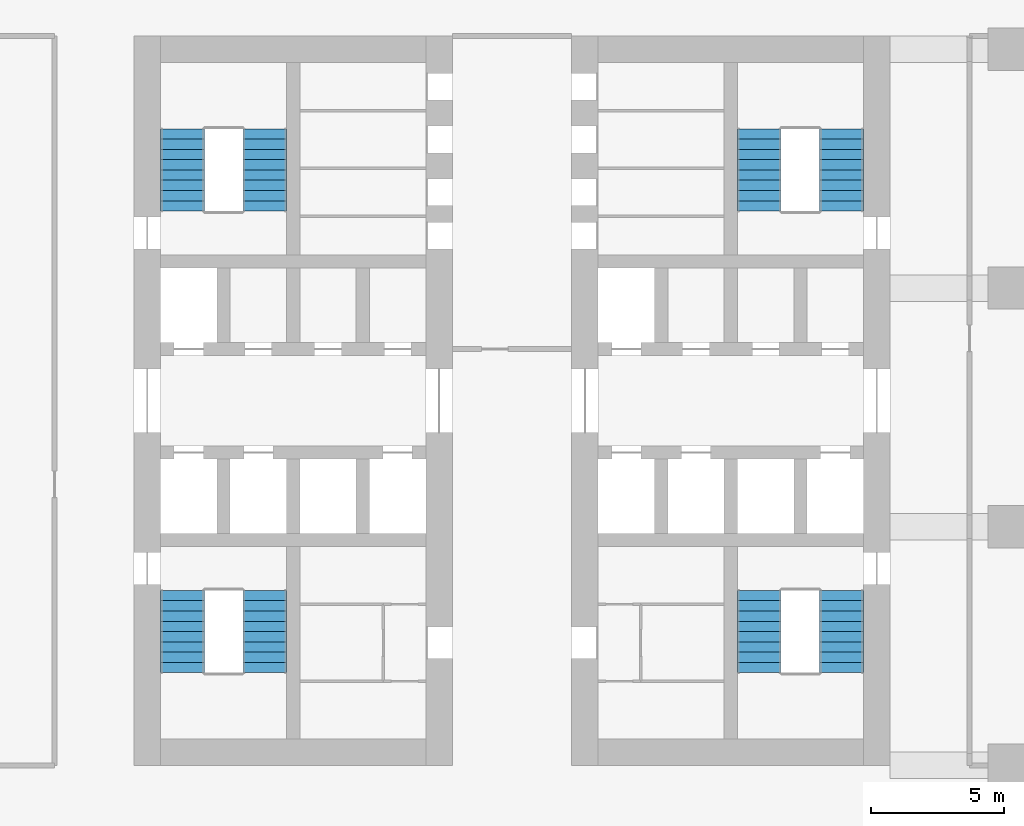
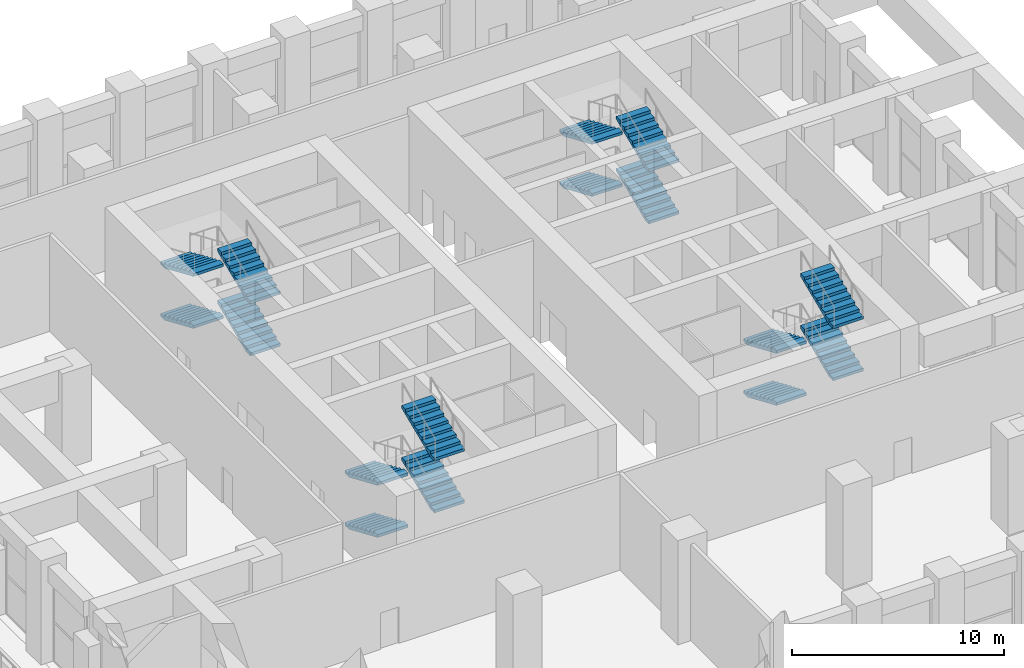
# One storey, part 17 of 21: 16 stair flights, 4 elements without a shape of their own.
"""IFC4 building model written with IfcOpenShell, lengths in metres."""

import ifcopenshell
import ifcopenshell.guid

model = None  # the IFC model being written
_history = None  # IfcOwnerHistory: only IFC2X3 demands one
_inside = {}  # id of a spatial element -> (the spatial element, [elements in it])
_under = {}  # id of a project, library or spatial element -> (it, [spatial elements below it])
_declared = {}  # id of a project -> (the project, [libraries it declares])
_typed = {}  # id of a type object -> (the type object, [elements of that type])
_made_of = {}  # id of a material, layer set ... -> (it, [elements and type objects made of it])


def new_model(schema):
    """Start an empty IFC model of exactly this schema.

    Asked for "IFC4X3", IfcOpenShell would pick the latest addendum, in which some entities
    have other attributes; the version numbers below select the first issue.
    IFC2X3 requires an IfcOwnerHistory on every rooted entity: one is made here for all.
    """
    global model, _history
    if schema == "IFC4X3":
        model = ifcopenshell.file(schema_version=(4, 3, 0, 0))
    else:
        model = ifcopenshell.file(schema=schema)
    _inside.clear()
    _under.clear()
    _declared.clear()
    _typed.clear()
    _made_of.clear()
    _history = None
    if model.schema == "IFC2X3":
        org = make("IfcOrganization", Name="unknown")
        user = make(
            "IfcPersonAndOrganization",
            ThePerson=make("IfcPerson", FamilyName="unknown"),
            TheOrganization=org,
        )
        app = make(
            "IfcApplication",
            ApplicationDeveloper=org,
            Version="unknown",
            ApplicationFullName="unknown",
            ApplicationIdentifier="unknown",
        )
        _history = make(
            "IfcOwnerHistory",
            OwningUser=user,
            OwningApplication=app,
            ChangeAction="ADDED",
            CreationDate=0,
        )
    return model


def make(cls, **values):
    """One entity of the class cls with the attributes given. An attribute that is None is left unset."""
    return model.create_entity(
        cls, **{name: value for name, value in values.items() if value is not None}
    )


def rooted(cls, **values):
    """An entity with a GlobalId (a new one), such as an element, a storey or a relation."""
    return make(cls, GlobalId=ifcopenshell.guid.new(), OwnerHistory=_history, **values)


def si_unit(unit_type, name, prefix=None):
    """IfcSIUnit, for example si_unit("LENGTHUNIT", "METRE", prefix="MILLI")."""
    return make("IfcSIUnit", UnitType=unit_type, Prefix=prefix, Name=name)


def assignment(units):
    """IfcUnitAssignment: the units of a project."""
    return None if units is None else make("IfcUnitAssignment", Units=units)


def point(xyz):
    """IfcCartesianPoint."""
    return None if xyz is None else make("IfcCartesianPoint", Coordinates=xyz)


def direction(xyz):
    """IfcDirection."""
    return None if xyz is None else make("IfcDirection", DirectionRatios=xyz)


def frame(location, z_axis=None, x_axis=None):
    """IfcAxis2Placement3D, a coordinate frame: its origin and axes. An axis left out is left unset."""
    return make(
        "IfcAxis2Placement3D",
        Location=point(location),
        Axis=direction(z_axis),
        RefDirection=direction(x_axis),
    )


def origin():
    """The frame at (0, 0, 0) with its axes left unset."""
    return frame((0.0, 0.0, 0.0))


def place(relative_to, where):
    """IfcLocalPlacement: puts the frame where relative to a parent placement (None: the world)."""
    return make(
        "IfcLocalPlacement", PlacementRelTo=relative_to, RelativePlacement=where
    )


def context(
    kind, dimensions, precision=None, world=None, true_north=None, identifier=None
):
    """IfcGeometricRepresentationContext, for example the 3D "Model" context."""
    return make(
        "IfcGeometricRepresentationContext",
        ContextIdentifier=identifier,
        ContextType=kind,
        CoordinateSpaceDimension=dimensions,
        Precision=precision,
        WorldCoordinateSystem=world,
        TrueNorth=true_north,
    )


def subcontext(parent, identifier, kind, view, scale=None):
    """IfcGeometricRepresentationSubContext, for example "Body" below "Model"."""
    return make(
        "IfcGeometricRepresentationSubContext",
        ContextIdentifier=identifier,
        ContextType=kind,
        ParentContext=parent,
        TargetScale=scale,
        TargetView=view,
    )


def project(units=None, contexts=None):
    """IfcProject with its units and contexts."""
    return rooted(
        "IfcProject",
        Name="project",
        RepresentationContexts=contexts,
        UnitsInContext=assignment(units),
    )


def spatial(cls, under=None, at=None, **own):
    """A site, building, storey or space (cls), placed at a placement, below another one or the project."""
    s = rooted(cls, ObjectPlacement=at, **own)
    if under is not None:
        _under.setdefault(under.id(), (under, []))[1].append(s)
    return s


def polyline(points):
    """IfcPolyline through the points."""
    return make("IfcPolyline", Points=[point(p) for p in points])


def outline(outer, holes=None, kind="AREA"):
    """IfcArbitraryClosedProfileDef: a profile drawn as a closed curve; with holes, ...WithVoids."""
    if holes is None:
        return make("IfcArbitraryClosedProfileDef", ProfileType=kind, OuterCurve=outer)
    return make(
        "IfcArbitraryProfileDefWithVoids",
        ProfileType=kind,
        OuterCurve=outer,
        InnerCurves=holes,
    )


def extrude(swept, where, along, depth):
    """IfcExtrudedAreaSolid: the profile swept, set in the frame where, extruded along a direction by depth."""
    return make(
        "IfcExtrudedAreaSolid",
        SweptArea=swept,
        Position=where,
        ExtrudedDirection=direction(along),
        Depth=depth,
    )


def shape(context_of_items, identifier, shape_type, items):
    """IfcShapeRepresentation: the items that make up one representation, for example the "Body"."""
    return make(
        "IfcShapeRepresentation",
        ContextOfItems=context_of_items,
        RepresentationIdentifier=identifier,
        RepresentationType=shape_type,
        Items=items,
    )


def material(Name=None, Category=None):
    """IfcMaterial."""
    return make("IfcMaterial", Name=Name, Category=Category)


def made_of(thing, what):
    """Note that an element or type object is made of a material, layer set ...; save() writes the relation."""
    if what is not None:
        _made_of.setdefault(what.id(), (what, []))[1].append(thing)
    return thing


def type_object(cls, material=None, **own):
    """A type object (cls), such as IfcWallType, which elements share."""
    return made_of(rooted(cls, **own), material)


def element(
    cls,
    number,
    at=None,
    inside=None,
    cuts=None,
    type_object=None,
    material=None,
    context=None,
    identifier="Body",
    shape_type=None,
    held_by="IfcProductDefinitionShape",
    body=None,
    shapes=None,
    **own,
):
    """One element of the class cls, such as IfcWall. Its Tag is "e" and its number.

    at: its placement. inside: the storey or other place that contains it. cuts: it is an
    opening in that element (IfcRelVoidsElement). A single representation is given by context,
    identifier, shape_type and body (its items); several are given by shapes. held_by: the class
    of the entity that holds the representations. save() writes the other relations.
    """
    e = rooted(cls, Tag="e%d" % number, ObjectPlacement=at, **own)
    if body is not None:
        shapes = [shape(context, identifier, shape_type, body)]
    if shapes is not None:
        e.Representation = make(held_by, Representations=shapes)
    if inside is not None:
        _inside.setdefault(inside.id(), (inside, []))[1].append(e)
    if cuts is not None:
        rooted(
            "IfcRelVoidsElement", RelatingBuildingElement=cuts, RelatedOpeningElement=e
        )
    if type_object is not None:
        _typed.setdefault(type_object.id(), (type_object, []))[1].append(e)
    return made_of(e, material)


def aggregate(whole, parts):
    """IfcRelAggregates: a whole, such as a stair, and the parts it consists of."""
    return rooted("IfcRelAggregates", RelatingObject=whole, RelatedObjects=parts)


def save(model, path):
    """Write the relations noted so far, then the file.

    IfcRelAggregates (storeys below a building ...), IfcRelContainedInSpatialStructure (elements
    in a storey), IfcRelDefinesByType, IfcRelAssociatesMaterial and IfcRelDeclares: one each for
    every whole, place, type object, material and project.
    """
    for whole, parts in _under.values():
        aggregate(whole, parts)
    for where, things in _inside.values():
        rooted(
            "IfcRelContainedInSpatialStructure",
            RelatedElements=things,
            RelatingStructure=where,
        )
    for kind, things in _typed.values():
        rooted("IfcRelDefinesByType", RelatedObjects=things, RelatingType=kind)
    for what, things in _made_of.values():
        rooted("IfcRelAssociatesMaterial", RelatedObjects=things, RelatingMaterial=what)
    for by, libraries in _declared.values():
        rooted("IfcRelDeclares", RelatingContext=by, RelatedDefinitions=libraries)
    model.write(path)


model = new_model("IFC4")

# Units and contexts
model_context = context("Model", 3, precision=1e-05, world=origin(), true_north=direction((0.0, 1.0)))
body_context = subcontext(model_context, "Body", "Model", "MODEL_VIEW")
ifc_project = project(units=[si_unit("LENGTHUNIT", "METRE"), si_unit("AREAUNIT", "SQUARE_METRE"), si_unit("VOLUMEUNIT", "CUBIC_METRE"), si_unit("PLANEANGLEUNIT", "RADIAN"), si_unit("MASSUNIT", "GRAM", prefix="KILO")], contexts=[model_context])

# Site, building, storey
site_placement = place(None, origin())
site = spatial("IfcSite", under=ifc_project, at=site_placement, CompositionType="ELEMENT")
building_placement = place(site_placement, origin())
building = spatial("IfcBuilding", under=site, at=building_placement, Name="Corbel Stack Research Tower", CompositionType="ELEMENT")
storey_placement = place(building_placement, frame((0.0, 0.0, 35.89990234375)))
storey = spatial("IfcBuildingStorey", under=building, at=storey_placement, Name="L08", CompositionType="ELEMENT", Elevation=35.89990234375)

# Stair, stair flights
ifc_material_1 = material(Name="Concrete C40/50", Category="concrete")
stair_type = type_object("IfcStairType", Name="Exit stair 36 risers, 388 going", PredefinedType="HALF_TURN_STAIR", material=ifc_material_1)
stair_1_placement = place(storey_placement, origin())
stair_1 = element("IfcStair", 1, at=stair_1_placement, inside=storey, type_object=stair_type, Name="L08 Exit stair ST-W1", PredefinedType="HALF_TURN_STAIR")
ifc_material_2 = material(Name="Concrete C40/50", Category="concrete")
stair_flight_type = type_object("IfcStairFlightType", Name="Stair flight 9 risers, 388 going", PredefinedType="STRAIGHT", material=ifc_material_2)
stair_flight_1_placement = place(storey_placement, frame((-8.675048828125, -2.39990234375, 0.0), z_axis=(0.0, 0.0, 1.0), x_axis=(0.0, -1.0, 0.0)))
stair_flight_1 = element("IfcStairFlight", 2, at=stair_flight_1_placement, type_object=stair_flight_type, Name="ST-W1 flight 1", NumberOfRisers=9, NumberOfTreads=8, PredefinedType="STRAIGHT", RiserHeight=0.166666667, TreadLength=0.388, context=body_context, shape_type="SweptSolid", body=[
    extrude(outline(polyline([(0.0, 0.0), (0.0, 0.166748046875), (0.387939453125, 0.166748046875), (0.387939453125, 0.333251953125), (0.77587890625, 0.333251953125), (0.77587890625, 0.5), (1.1640625, 0.5), (1.1640625, 0.666748046875), (1.552001953125, 0.666748046875), (1.552001953125, 0.833251953125), (1.93994140625, 0.833251953125), (1.93994140625, 1.0), (2.327880859375, 1.0), (2.327880859375, 1.166748046875), (2.716064453125, 1.166748046875), (2.716064453125, 1.333251953125), (3.10400390625, 1.333251953125), (3.10400390625, 1.5), (3.10400390625, 1.170166015625), (0.3798828125, 0.0), (0.0, 0.0)])), frame((0.0, 0.824951171875, 0.0), z_axis=(0.0, -1.0, 0.0), x_axis=(1.0, 0.0, 0.0)), (0.0, 0.0, 1.0), 1.64990234375),
])
stair_flight_2_placement = place(storey_placement, frame((-5.574951171875, -5.50390625, 1.5), z_axis=(0.0, 0.0, 1.0), x_axis=(0.0, 1.0, 0.0)))
stair_flight_2 = element("IfcStairFlight", 3, at=stair_flight_2_placement, type_object=stair_flight_type, Name="ST-W1 flight 2", NumberOfRisers=9, NumberOfTreads=8, PredefinedType="STRAIGHT", RiserHeight=0.166666667, TreadLength=0.388, context=body_context, shape_type="SweptSolid", body=[
    extrude(outline(polyline([(0.0, 0.0), (0.0, 0.166748046875), (0.387939453125, 0.166748046875), (0.387939453125, 0.333251953125), (0.77587890625, 0.333251953125), (0.77587890625, 0.5), (1.1640625, 0.5), (1.1640625, 0.666748046875), (1.552001953125, 0.666748046875), (1.552001953125, 0.833251953125), (1.93994140625, 0.833251953125), (1.93994140625, 1.0), (2.327880859375, 1.0), (2.327880859375, 1.166748046875), (2.716064453125, 1.166748046875), (2.716064453125, 1.333251953125), (3.10400390625, 1.333251953125), (3.10400390625, 1.5), (3.10400390625, 1.170166015625), (0.3798828125, 0.0), (0.0, 0.0)])), frame((0.0, 0.824951171875, 0.0), z_axis=(0.0, -1.0, 0.0), x_axis=(1.0, 0.0, 0.0)), (0.0, 0.0, 1.0), 1.64990234375),
])
stair_flight_3_placement = place(storey_placement, frame((-8.675048828125, -2.39990234375, 3.0), z_axis=(0.0, 0.0, 1.0), x_axis=(0.0, -1.0, 0.0)))
stair_flight_3 = element("IfcStairFlight", 4, at=stair_flight_3_placement, type_object=stair_flight_type, Name="ST-W1 flight 3", NumberOfRisers=9, NumberOfTreads=8, PredefinedType="STRAIGHT", RiserHeight=0.166666667, TreadLength=0.388, context=body_context, shape_type="SweptSolid", body=[
    extrude(outline(polyline([(0.0, 0.0), (0.0, 0.166748046875), (0.387939453125, 0.166748046875), (0.387939453125, 0.333251953125), (0.77587890625, 0.333251953125), (0.77587890625, 0.5), (1.1640625, 0.5), (1.1640625, 0.666748046875), (1.552001953125, 0.666748046875), (1.552001953125, 0.833251953125), (1.93994140625, 0.833251953125), (1.93994140625, 1.0), (2.327880859375, 1.0), (2.327880859375, 1.166748046875), (2.716064453125, 1.166748046875), (2.716064453125, 1.333251953125), (3.10400390625, 1.333251953125), (3.10400390625, 1.5), (3.10400390625, 1.170166015625), (0.3798828125, 0.0), (0.0, 0.0)])), frame((0.0, 0.824951171875, 0.0), z_axis=(0.0, -1.0, 0.0), x_axis=(1.0, 0.0, 0.0)), (0.0, 0.0, 1.0), 1.64990234375),
])
stair_flight_4_placement = place(storey_placement, frame((-5.574951171875, -5.50390625, 4.5), z_axis=(0.0, 0.0, 1.0), x_axis=(0.0, 1.0, 0.0)))
stair_flight_4 = element("IfcStairFlight", 5, at=stair_flight_4_placement, type_object=stair_flight_type, Name="ST-W1 flight 4", NumberOfRisers=9, NumberOfTreads=8, PredefinedType="STRAIGHT", RiserHeight=0.166666667, TreadLength=0.388, context=body_context, shape_type="SweptSolid", body=[
    extrude(outline(polyline([(0.0, 0.0), (0.0, 0.166748046875), (0.387939453125, 0.166748046875), (0.387939453125, 0.333251953125), (0.77587890625, 0.333251953125), (0.77587890625, 0.5), (1.1640625, 0.5), (1.1640625, 0.666748046875), (1.552001953125, 0.666748046875), (1.552001953125, 0.833251953125), (1.93994140625, 0.833251953125), (1.93994140625, 1.0), (2.327880859375, 1.0), (2.327880859375, 1.166748046875), (2.716064453125, 1.166748046875), (2.716064453125, 1.333251953125), (3.10400390625, 1.333251953125), (3.10400390625, 1.5), (3.10400390625, 1.170166015625), (0.3798828125, 0.0), (0.0, 0.0)])), frame((0.0, 0.824951171875, 0.0), z_axis=(0.0, -1.0, 0.0), x_axis=(1.0, 0.0, 0.0)), (0.0, 0.0, 1.0), 1.64990234375),
])
aggregate(stair_1, [stair_flight_1, stair_flight_2, stair_flight_3, stair_flight_4])

stair_2_placement = place(storey_placement, origin())
stair_2 = element("IfcStair", 6, at=stair_2_placement, inside=storey, type_object=stair_type, Name="L08 Exit stair ST-W2", PredefinedType="HALF_TURN_STAIR")
stair_flight_5_placement = place(storey_placement, frame((-5.574951171875, 11.89990234375, 0.0), z_axis=(0.0, 0.0, 1.0), x_axis=(0.0, 1.0, 0.0)))
stair_flight_5 = element("IfcStairFlight", 7, at=stair_flight_5_placement, type_object=stair_flight_type, Name="ST-W2 flight 1", NumberOfRisers=9, NumberOfTreads=8, PredefinedType="STRAIGHT", RiserHeight=0.166666667, TreadLength=0.388, context=body_context, shape_type="SweptSolid", body=[
    extrude(outline(polyline([(0.0, 0.0), (0.0, 0.166748046875), (0.387939453125, 0.166748046875), (0.387939453125, 0.333251953125), (0.77587890625, 0.333251953125), (0.77587890625, 0.5), (1.1640625, 0.5), (1.1640625, 0.666748046875), (1.552001953125, 0.666748046875), (1.552001953125, 0.833251953125), (1.93994140625, 0.833251953125), (1.93994140625, 1.0), (2.327880859375, 1.0), (2.327880859375, 1.166748046875), (2.716064453125, 1.166748046875), (2.716064453125, 1.333251953125), (3.10400390625, 1.333251953125), (3.10400390625, 1.5), (3.10400390625, 1.170166015625), (0.3798828125, 0.0), (0.0, 0.0)])), frame((0.0, 0.824951171875, 0.0), z_axis=(0.0, -1.0, 0.0), x_axis=(1.0, 0.0, 0.0)), (0.0, 0.0, 1.0), 1.64990234375),
])
stair_flight_6_placement = place(storey_placement, frame((-8.675048828125, 15.00390625, 1.5), z_axis=(0.0, 0.0, 1.0), x_axis=(0.0, -1.0, 0.0)))
stair_flight_6 = element("IfcStairFlight", 8, at=stair_flight_6_placement, type_object=stair_flight_type, Name="ST-W2 flight 2", NumberOfRisers=9, NumberOfTreads=8, PredefinedType="STRAIGHT", RiserHeight=0.166666667, TreadLength=0.388, context=body_context, shape_type="SweptSolid", body=[
    extrude(outline(polyline([(0.0, 0.0), (0.0, 0.166748046875), (0.387939453125, 0.166748046875), (0.387939453125, 0.333251953125), (0.77587890625, 0.333251953125), (0.77587890625, 0.5), (1.1640625, 0.5), (1.1640625, 0.666748046875), (1.552001953125, 0.666748046875), (1.552001953125, 0.833251953125), (1.93994140625, 0.833251953125), (1.93994140625, 1.0), (2.327880859375, 1.0), (2.327880859375, 1.166748046875), (2.716064453125, 1.166748046875), (2.716064453125, 1.333251953125), (3.10400390625, 1.333251953125), (3.10400390625, 1.5), (3.10400390625, 1.170166015625), (0.3798828125, 0.0), (0.0, 0.0)])), frame((0.0, 0.824951171875, 0.0), z_axis=(0.0, -1.0, 0.0), x_axis=(1.0, 0.0, 0.0)), (0.0, 0.0, 1.0), 1.64990234375),
])
stair_flight_7_placement = place(storey_placement, frame((-5.574951171875, 11.89990234375, 3.0), z_axis=(0.0, 0.0, 1.0), x_axis=(0.0, 1.0, 0.0)))
stair_flight_7 = element("IfcStairFlight", 9, at=stair_flight_7_placement, type_object=stair_flight_type, Name="ST-W2 flight 3", NumberOfRisers=9, NumberOfTreads=8, PredefinedType="STRAIGHT", RiserHeight=0.166666667, TreadLength=0.388, context=body_context, shape_type="SweptSolid", body=[
    extrude(outline(polyline([(0.0, 0.0), (0.0, 0.166748046875), (0.387939453125, 0.166748046875), (0.387939453125, 0.333251953125), (0.77587890625, 0.333251953125), (0.77587890625, 0.5), (1.1640625, 0.5), (1.1640625, 0.666748046875), (1.552001953125, 0.666748046875), (1.552001953125, 0.833251953125), (1.93994140625, 0.833251953125), (1.93994140625, 1.0), (2.327880859375, 1.0), (2.327880859375, 1.166748046875), (2.716064453125, 1.166748046875), (2.716064453125, 1.333251953125), (3.10400390625, 1.333251953125), (3.10400390625, 1.5), (3.10400390625, 1.170166015625), (0.3798828125, 0.0), (0.0, 0.0)])), frame((0.0, 0.824951171875, 0.0), z_axis=(0.0, -1.0, 0.0), x_axis=(1.0, 0.0, 0.0)), (0.0, 0.0, 1.0), 1.64990234375),
])
stair_flight_8_placement = place(storey_placement, frame((-8.675048828125, 15.00390625, 4.5), z_axis=(0.0, 0.0, 1.0), x_axis=(0.0, -1.0, 0.0)))
stair_flight_8 = element("IfcStairFlight", 10, at=stair_flight_8_placement, type_object=stair_flight_type, Name="ST-W2 flight 4", NumberOfRisers=9, NumberOfTreads=8, PredefinedType="STRAIGHT", RiserHeight=0.166666667, TreadLength=0.388, context=body_context, shape_type="SweptSolid", body=[
    extrude(outline(polyline([(0.0, 0.0), (0.0, 0.166748046875), (0.387939453125, 0.166748046875), (0.387939453125, 0.333251953125), (0.77587890625, 0.333251953125), (0.77587890625, 0.5), (1.1640625, 0.5), (1.1640625, 0.666748046875), (1.552001953125, 0.666748046875), (1.552001953125, 0.833251953125), (1.93994140625, 0.833251953125), (1.93994140625, 1.0), (2.327880859375, 1.0), (2.327880859375, 1.166748046875), (2.716064453125, 1.166748046875), (2.716064453125, 1.333251953125), (3.10400390625, 1.333251953125), (3.10400390625, 1.5), (3.10400390625, 1.170166015625), (0.3798828125, 0.0), (0.0, 0.0)])), frame((0.0, 0.824951171875, 0.0), z_axis=(0.0, -1.0, 0.0), x_axis=(1.0, 0.0, 0.0)), (0.0, 0.0, 1.0), 1.64990234375),
])
aggregate(stair_2, [stair_flight_5, stair_flight_6, stair_flight_7, stair_flight_8])

stair_3_placement = place(storey_placement, origin())
stair_3 = element("IfcStair", 11, at=stair_3_placement, inside=storey, type_object=stair_type, Name="L08 Exit stair ST-E1", PredefinedType="HALF_TURN_STAIR")
stair_flight_9_placement = place(storey_placement, frame((13.074951171875, -2.39990234375, 0.0), z_axis=(0.0, 0.0, 1.0), x_axis=(0.0, -1.0, 0.0)))
stair_flight_9 = element("IfcStairFlight", 12, at=stair_flight_9_placement, type_object=stair_flight_type, Name="ST-E1 flight 1", NumberOfRisers=9, NumberOfTreads=8, PredefinedType="STRAIGHT", RiserHeight=0.166666667, TreadLength=0.388, context=body_context, shape_type="SweptSolid", body=[
    extrude(outline(polyline([(0.0, 0.0), (0.0, 0.166748046875), (0.387939453125, 0.166748046875), (0.387939453125, 0.333251953125), (0.77587890625, 0.333251953125), (0.77587890625, 0.5), (1.1640625, 0.5), (1.1640625, 0.666748046875), (1.552001953125, 0.666748046875), (1.552001953125, 0.833251953125), (1.93994140625, 0.833251953125), (1.93994140625, 1.0), (2.327880859375, 1.0), (2.327880859375, 1.166748046875), (2.716064453125, 1.166748046875), (2.716064453125, 1.333251953125), (3.10400390625, 1.333251953125), (3.10400390625, 1.5), (3.10400390625, 1.170166015625), (0.3798828125, 0.0), (0.0, 0.0)])), frame((0.0, 0.824951171875, 0.0), z_axis=(0.0, -1.0, 0.0), x_axis=(1.0, 0.0, 0.0)), (0.0, 0.0, 1.0), 1.64990234375),
])
stair_flight_10_placement = place(storey_placement, frame((16.175048828125, -5.50390625, 1.5), z_axis=(0.0, 0.0, 1.0), x_axis=(0.0, 1.0, 0.0)))
stair_flight_10 = element("IfcStairFlight", 13, at=stair_flight_10_placement, type_object=stair_flight_type, Name="ST-E1 flight 2", NumberOfRisers=9, NumberOfTreads=8, PredefinedType="STRAIGHT", RiserHeight=0.166666667, TreadLength=0.388, context=body_context, shape_type="SweptSolid", body=[
    extrude(outline(polyline([(0.0, 0.0), (0.0, 0.166748046875), (0.387939453125, 0.166748046875), (0.387939453125, 0.333251953125), (0.77587890625, 0.333251953125), (0.77587890625, 0.5), (1.1640625, 0.5), (1.1640625, 0.666748046875), (1.552001953125, 0.666748046875), (1.552001953125, 0.833251953125), (1.93994140625, 0.833251953125), (1.93994140625, 1.0), (2.327880859375, 1.0), (2.327880859375, 1.166748046875), (2.716064453125, 1.166748046875), (2.716064453125, 1.333251953125), (3.10400390625, 1.333251953125), (3.10400390625, 1.5), (3.10400390625, 1.170166015625), (0.3798828125, 0.0), (0.0, 0.0)])), frame((0.0, 0.824951171875, 0.0), z_axis=(0.0, -1.0, 0.0), x_axis=(1.0, 0.0, 0.0)), (0.0, 0.0, 1.0), 1.64990234375),
])
stair_flight_11_placement = place(storey_placement, frame((13.074951171875, -2.39990234375, 3.0), z_axis=(0.0, 0.0, 1.0), x_axis=(0.0, -1.0, 0.0)))
stair_flight_11 = element("IfcStairFlight", 14, at=stair_flight_11_placement, type_object=stair_flight_type, Name="ST-E1 flight 3", NumberOfRisers=9, NumberOfTreads=8, PredefinedType="STRAIGHT", RiserHeight=0.166666667, TreadLength=0.388, context=body_context, shape_type="SweptSolid", body=[
    extrude(outline(polyline([(0.0, 0.0), (0.0, 0.166748046875), (0.387939453125, 0.166748046875), (0.387939453125, 0.333251953125), (0.77587890625, 0.333251953125), (0.77587890625, 0.5), (1.1640625, 0.5), (1.1640625, 0.666748046875), (1.552001953125, 0.666748046875), (1.552001953125, 0.833251953125), (1.93994140625, 0.833251953125), (1.93994140625, 1.0), (2.327880859375, 1.0), (2.327880859375, 1.166748046875), (2.716064453125, 1.166748046875), (2.716064453125, 1.333251953125), (3.10400390625, 1.333251953125), (3.10400390625, 1.5), (3.10400390625, 1.170166015625), (0.3798828125, 0.0), (0.0, 0.0)])), frame((0.0, 0.824951171875, 0.0), z_axis=(0.0, -1.0, 0.0), x_axis=(1.0, 0.0, 0.0)), (0.0, 0.0, 1.0), 1.64990234375),
])
stair_flight_12_placement = place(storey_placement, frame((16.175048828125, -5.50390625, 4.5), z_axis=(0.0, 0.0, 1.0), x_axis=(0.0, 1.0, 0.0)))
stair_flight_12 = element("IfcStairFlight", 15, at=stair_flight_12_placement, type_object=stair_flight_type, Name="ST-E1 flight 4", NumberOfRisers=9, NumberOfTreads=8, PredefinedType="STRAIGHT", RiserHeight=0.166666667, TreadLength=0.388, context=body_context, shape_type="SweptSolid", body=[
    extrude(outline(polyline([(0.0, 0.0), (0.0, 0.166748046875), (0.387939453125, 0.166748046875), (0.387939453125, 0.333251953125), (0.77587890625, 0.333251953125), (0.77587890625, 0.5), (1.1640625, 0.5), (1.1640625, 0.666748046875), (1.552001953125, 0.666748046875), (1.552001953125, 0.833251953125), (1.93994140625, 0.833251953125), (1.93994140625, 1.0), (2.327880859375, 1.0), (2.327880859375, 1.166748046875), (2.716064453125, 1.166748046875), (2.716064453125, 1.333251953125), (3.10400390625, 1.333251953125), (3.10400390625, 1.5), (3.10400390625, 1.170166015625), (0.3798828125, 0.0), (0.0, 0.0)])), frame((0.0, 0.824951171875, 0.0), z_axis=(0.0, -1.0, 0.0), x_axis=(1.0, 0.0, 0.0)), (0.0, 0.0, 1.0), 1.64990234375),
])
aggregate(stair_3, [stair_flight_9, stair_flight_10, stair_flight_11, stair_flight_12])

stair_4_placement = place(storey_placement, origin())
stair_4 = element("IfcStair", 16, at=stair_4_placement, inside=storey, type_object=stair_type, Name="L08 Exit stair ST-E2", PredefinedType="HALF_TURN_STAIR")
stair_flight_13_placement = place(storey_placement, frame((16.175048828125, 11.89990234375, 0.0), z_axis=(0.0, 0.0, 1.0), x_axis=(0.0, 1.0, 0.0)))
stair_flight_13 = element("IfcStairFlight", 17, at=stair_flight_13_placement, type_object=stair_flight_type, Name="ST-E2 flight 1", NumberOfRisers=9, NumberOfTreads=8, PredefinedType="STRAIGHT", RiserHeight=0.166666667, TreadLength=0.388, context=body_context, shape_type="SweptSolid", body=[
    extrude(outline(polyline([(0.0, 0.0), (0.0, 0.166748046875), (0.387939453125, 0.166748046875), (0.387939453125, 0.333251953125), (0.77587890625, 0.333251953125), (0.77587890625, 0.5), (1.1640625, 0.5), (1.1640625, 0.666748046875), (1.552001953125, 0.666748046875), (1.552001953125, 0.833251953125), (1.93994140625, 0.833251953125), (1.93994140625, 1.0), (2.327880859375, 1.0), (2.327880859375, 1.166748046875), (2.716064453125, 1.166748046875), (2.716064453125, 1.333251953125), (3.10400390625, 1.333251953125), (3.10400390625, 1.5), (3.10400390625, 1.170166015625), (0.3798828125, 0.0), (0.0, 0.0)])), frame((0.0, 0.824951171875, 0.0), z_axis=(0.0, -1.0, 0.0), x_axis=(1.0, 0.0, 0.0)), (0.0, 0.0, 1.0), 1.64990234375),
])
stair_flight_14_placement = place(storey_placement, frame((13.074951171875, 15.00390625, 1.5), z_axis=(0.0, 0.0, 1.0), x_axis=(0.0, -1.0, 0.0)))
stair_flight_14 = element("IfcStairFlight", 18, at=stair_flight_14_placement, type_object=stair_flight_type, Name="ST-E2 flight 2", NumberOfRisers=9, NumberOfTreads=8, PredefinedType="STRAIGHT", RiserHeight=0.166666667, TreadLength=0.388, context=body_context, shape_type="SweptSolid", body=[
    extrude(outline(polyline([(0.0, 0.0), (0.0, 0.166748046875), (0.387939453125, 0.166748046875), (0.387939453125, 0.333251953125), (0.77587890625, 0.333251953125), (0.77587890625, 0.5), (1.1640625, 0.5), (1.1640625, 0.666748046875), (1.552001953125, 0.666748046875), (1.552001953125, 0.833251953125), (1.93994140625, 0.833251953125), (1.93994140625, 1.0), (2.327880859375, 1.0), (2.327880859375, 1.166748046875), (2.716064453125, 1.166748046875), (2.716064453125, 1.333251953125), (3.10400390625, 1.333251953125), (3.10400390625, 1.5), (3.10400390625, 1.170166015625), (0.3798828125, 0.0), (0.0, 0.0)])), frame((0.0, 0.824951171875, 0.0), z_axis=(0.0, -1.0, 0.0), x_axis=(1.0, 0.0, 0.0)), (0.0, 0.0, 1.0), 1.64990234375),
])
stair_flight_15_placement = place(storey_placement, frame((16.175048828125, 11.89990234375, 3.0), z_axis=(0.0, 0.0, 1.0), x_axis=(0.0, 1.0, 0.0)))
stair_flight_15 = element("IfcStairFlight", 19, at=stair_flight_15_placement, type_object=stair_flight_type, Name="ST-E2 flight 3", NumberOfRisers=9, NumberOfTreads=8, PredefinedType="STRAIGHT", RiserHeight=0.166666667, TreadLength=0.388, context=body_context, shape_type="SweptSolid", body=[
    extrude(outline(polyline([(0.0, 0.0), (0.0, 0.166748046875), (0.387939453125, 0.166748046875), (0.387939453125, 0.333251953125), (0.77587890625, 0.333251953125), (0.77587890625, 0.5), (1.1640625, 0.5), (1.1640625, 0.666748046875), (1.552001953125, 0.666748046875), (1.552001953125, 0.833251953125), (1.93994140625, 0.833251953125), (1.93994140625, 1.0), (2.327880859375, 1.0), (2.327880859375, 1.166748046875), (2.716064453125, 1.166748046875), (2.716064453125, 1.333251953125), (3.10400390625, 1.333251953125), (3.10400390625, 1.5), (3.10400390625, 1.170166015625), (0.3798828125, 0.0), (0.0, 0.0)])), frame((0.0, 0.824951171875, 0.0), z_axis=(0.0, -1.0, 0.0), x_axis=(1.0, 0.0, 0.0)), (0.0, 0.0, 1.0), 1.64990234375),
])
stair_flight_16_placement = place(storey_placement, frame((13.074951171875, 15.00390625, 4.5), z_axis=(0.0, 0.0, 1.0), x_axis=(0.0, -1.0, 0.0)))
stair_flight_16 = element("IfcStairFlight", 20, at=stair_flight_16_placement, type_object=stair_flight_type, Name="ST-E2 flight 4", NumberOfRisers=9, NumberOfTreads=8, PredefinedType="STRAIGHT", RiserHeight=0.166666667, TreadLength=0.388, context=body_context, shape_type="SweptSolid", body=[
    extrude(outline(polyline([(0.0, 0.0), (0.0, 0.166748046875), (0.387939453125, 0.166748046875), (0.387939453125, 0.333251953125), (0.77587890625, 0.333251953125), (0.77587890625, 0.5), (1.1640625, 0.5), (1.1640625, 0.666748046875), (1.552001953125, 0.666748046875), (1.552001953125, 0.833251953125), (1.93994140625, 0.833251953125), (1.93994140625, 1.0), (2.327880859375, 1.0), (2.327880859375, 1.166748046875), (2.716064453125, 1.166748046875), (2.716064453125, 1.333251953125), (3.10400390625, 1.333251953125), (3.10400390625, 1.5), (3.10400390625, 1.170166015625), (0.3798828125, 0.0), (0.0, 0.0)])), frame((0.0, 0.824951171875, 0.0), z_axis=(0.0, -1.0, 0.0), x_axis=(1.0, 0.0, 0.0)), (0.0, 0.0, 1.0), 1.64990234375),
])
aggregate(stair_4, [stair_flight_13, stair_flight_14, stair_flight_15, stair_flight_16])

save(model, "model.ifc")
